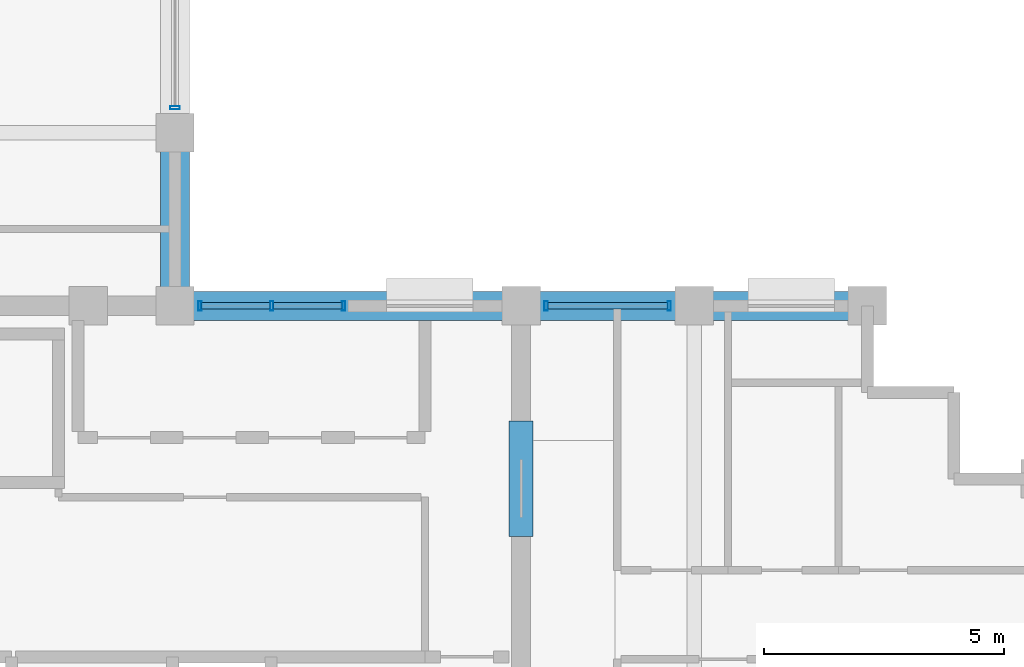
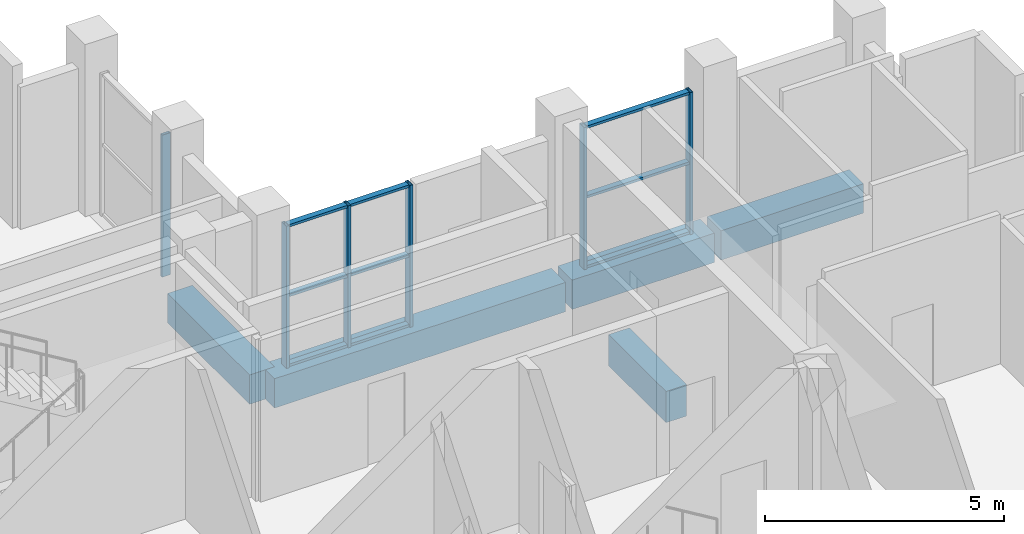
# One storey, part 8 of 18: 15 members, 5 beams, 3 elements without a shape of their own.
"""IFC4 building model written with IfcOpenShell, lengths in metres."""

from ifc_helpers import new_model, si_unit, direction, frame, origin, origin_2d, place, context, subcontext, project, spatial, rectangle, hollow_rectangle, extrude, material, layer, layer_set, material_profile, profile_set, type_object, element, aggregate, save


model = new_model("IFC4")

# Units and contexts
model_context = context("Model", 3, precision=1e-05, world=origin(), true_north=direction((0.0, 1.0)))
body_context = subcontext(model_context, "Body", "Model", "MODEL_VIEW")
ifc_project = project(units=[si_unit("LENGTHUNIT", "METRE"), si_unit("AREAUNIT", "SQUARE_METRE"), si_unit("VOLUMEUNIT", "CUBIC_METRE"), si_unit("PLANEANGLEUNIT", "RADIAN"), si_unit("MASSUNIT", "GRAM", prefix="KILO")], contexts=[model_context])

# Site, building, storey
site_placement = place(None, origin())
site = spatial("IfcSite", under=ifc_project, at=site_placement, CompositionType="ELEMENT")
building_placement = place(site_placement, origin())
building = spatial("IfcBuilding", under=site, at=building_placement, Name="Solnavia Interchange Tower", CompositionType="ELEMENT")
storey_placement = place(building_placement, frame((0.0, 0.0, 295.39990234375)))
storey = spatial("IfcBuildingStorey", under=building, at=storey_placement, Name="L75", CompositionType="ELEMENT", Elevation=295.39990234375)

# Beams
ifc_material_1 = material(Name="Concrete C50/60", Category="concrete")
ifc_material_profile_1 = material_profile(ifc_material_1, rectangle(XDim=0.5, YDim=0.800048828125, at=origin_2d()), Name="RC 500x800")
ifc_profile_set_1 = profile_set([ifc_material_profile_1], Name="Concrete C50/60")
beam_type_1 = type_object("IfcBeamType", Name="Beam-Coupling-RC500x800", PredefinedType="LINTEL", material=ifc_profile_set_1)
beam_1_placement = place(storey_placement, frame((32.39990234375, 20.39990234375, -0.39990234375), z_axis=(0.0, 1.0, 0.0), x_axis=(-1.0, 0.0, 0.0)))
element("IfcBeam", 1, at=beam_1_placement, inside=storey, type_object=beam_type_1, Name="CPB-L75-E2 Core coupling lintel beam", PredefinedType="LINTEL", context=body_context, shape_type="SweptSolid", body=[
    extrude(rectangle(XDim=0.5, YDim=0.800048828125, at=origin_2d()), origin(), (0.0, 0.0, 1.0), 2.400146484375),
])
ifc_material_profile_2 = material_profile(ifc_material_1, rectangle(XDim=0.60009765625, YDim=0.75, at=origin_2d()), Name="RC 600x750")
ifc_profile_set_2 = profile_set([ifc_material_profile_2], Name="Concrete C50/60")
beam_type_2 = type_object("IfcBeamType", Name="Beam-Spandrel-RC600x750", PredefinedType="SPANDREL", material=ifc_profile_set_2)
for number, where, z_axis, x_axis, name in (
    (2, (39.52001953125, 25.199951171875, -0.375), (-1.0, 0.0, 0.0), (0.0, -1.0, 0.0), "SPB-L75-17 Framed-tube perimeter spandrel beam"),
    (3, (35.919921875, 25.199951171875, -0.375), (-1.0, 0.0, 0.0), (0.0, -1.0, 0.0), "SPB-L75-18 Framed-tube perimeter spandrel beam"),
):
    element("IfcBeam", number, at=place(storey_placement, frame(where, z_axis=z_axis, x_axis=x_axis)), inside=storey, type_object=beam_type_2, Name=name, PredefinedType="SPANDREL", context=body_context, shape_type="SweptSolid", body=[
        extrude(rectangle(XDim=0.60009765625, YDim=0.75, at=origin_2d()), origin(), (0.0, 0.0, 1.0), 3.43994140625),
    ])
beam_2_placement = place(storey_placement, frame((32.320068359375, 25.199951171875, -0.375), z_axis=(-1.0, 0.0, 0.0), x_axis=(0.0, -1.0, 0.0)))
element("IfcBeam", 4, at=beam_2_placement, inside=storey, type_object=beam_type_2, Name="SPB-L75-19 Framed-tube perimeter spandrel beam", PredefinedType="SPANDREL", context=body_context, shape_type="SweptSolid", body=[
    extrude(rectangle(XDim=0.60009765625, YDim=0.75, at=origin_2d()), origin(), (0.0, 0.0, 1.0), 7.0400390625),
])
beam_3_placement = place(storey_placement, frame((25.199951171875, 25.280029296875, -0.375), z_axis=(0.0, 1.0, 0.0), x_axis=(-1.0, 0.0, 0.0)))
element("IfcBeam", 5, at=beam_3_placement, inside=storey, type_object=beam_type_2, Name="SPB-L75-20 Framed-tube perimeter spandrel beam", PredefinedType="SPANDREL", context=body_context, shape_type="SweptSolid", body=[
    extrude(rectangle(XDim=0.60009765625, YDim=0.75, at=origin_2d()), origin(), (0.0, 0.0, 1.0), 3.43994140625),
])

# Curtain wall, members
ifc_material_2 = material(Name="Aluminium Alloy 6063-T6", Category="aluminium")
ifc_layer = layer(ifc_material_2, 0.219970703125)
ifc_layer_set = layer_set([ifc_layer], Name="Aluminium Alloy 6063-T6")
curtain_wall_type = type_object("IfcCurtainWallType", Name="CurtainWall-Tower-CTW3", PredefinedType="NOTDEFINED", material=ifc_layer_set)
curtain_wall_1_placement = place(storey_placement, origin())
curtain_wall_1 = element("IfcCurtainWall", 6, at=curtain_wall_1_placement, inside=storey, type_object=curtain_wall_type, Name="CTW-L75-S18 CTW-3 curtain wall", PredefinedType="NOTDEFINED")
ifc_material_profile_3 = material_profile(ifc_material_2, hollow_rectangle(XDim=0.070068359375, YDim=0.199951171875, WallThickness=0.0048828125, at=origin_2d()), Name="ALU 200x70x5")
ifc_profile_set_3 = profile_set([ifc_material_profile_3], Name="Aluminium Alloy 6063-T6")
member_type_1 = type_object("IfcMemberType", Name="CW-Mullion-CWM-3", PredefinedType="MULLION", material=ifc_profile_set_3)
member_1_placement = place(storey_placement, frame((35.47998046875, 25.199951171875, 0.0), z_axis=(0.0, 0.0, 1.0), x_axis=(-1.0, 0.0, 0.0)))
member_1 = element("IfcMember", 7, at=member_1_placement, type_object=member_type_1, Name="CTW-3 mullion 1", PredefinedType="MULLION", context=body_context, shape_type="SweptSolid", body=[
    extrude(hollow_rectangle(XDim=0.070068359375, YDim=0.199951171875, WallThickness=0.0048828125, at=origin_2d()), origin(), (0.0, 0.0, 1.0), 3.630126953125),
])
member_2_placement = place(storey_placement, frame((32.919921875, 25.199951171875, 0.0), z_axis=(0.0, 0.0, 1.0), x_axis=(-1.0, 0.0, 0.0)))
member_2 = element("IfcMember", 8, at=member_2_placement, type_object=member_type_1, Name="CTW-3 mullion 2", PredefinedType="MULLION", context=body_context, shape_type="SweptSolid", body=[
    extrude(hollow_rectangle(XDim=0.070068359375, YDim=0.199951171875, WallThickness=0.0048828125, at=origin_2d()), origin(), (0.0, 0.0, 1.0), 3.630126953125),
])

curtain_wall_2_placement = place(storey_placement, origin())
curtain_wall_2 = element("IfcCurtainWall", 9, at=curtain_wall_2_placement, inside=storey, type_object=curtain_wall_type, Name="CTW-L75-S20 CTW-3 curtain wall", PredefinedType="NOTDEFINED")
member_3_placement = place(storey_placement, frame((28.705078125, 25.199951171875, 0.0), z_axis=(0.0, 0.0, 1.0), x_axis=(-1.0, 0.0, 0.0)))
member_3 = element("IfcMember", 10, at=member_3_placement, type_object=member_type_1, Name="CTW-3 mullion 1", PredefinedType="MULLION", context=body_context, shape_type="SweptSolid", body=[
    extrude(hollow_rectangle(XDim=0.070068359375, YDim=0.199951171875, WallThickness=0.0048828125, at=origin_2d()), origin(), (0.0, 0.0, 1.0), 3.630126953125),
])
member_4_placement = place(storey_placement, frame((27.21240234375, 25.199951171875, 0.0), z_axis=(0.0, 0.0, 1.0), x_axis=(-1.0, 0.0, 0.0)))
member_4 = element("IfcMember", 11, at=member_4_placement, type_object=member_type_1, Name="CTW-3 mullion 2", PredefinedType="MULLION", context=body_context, shape_type="SweptSolid", body=[
    extrude(hollow_rectangle(XDim=0.070068359375, YDim=0.199951171875, WallThickness=0.0048828125, at=origin_2d()), origin(), (0.0, 0.0, 1.0), 3.630126953125),
])
member_5_placement = place(storey_placement, frame((25.719970703125, 25.199951171875, 0.0), z_axis=(0.0, 0.0, 1.0), x_axis=(-1.0, 0.0, 0.0)))
member_5 = element("IfcMember", 12, at=member_5_placement, type_object=member_type_1, Name="CTW-3 mullion 3", PredefinedType="MULLION", context=body_context, shape_type="SweptSolid", body=[
    extrude(hollow_rectangle(XDim=0.070068359375, YDim=0.199951171875, WallThickness=0.0048828125, at=origin_2d()), origin(), (0.0, 0.0, 1.0), 3.630126953125),
])

# Curtain wall, member
curtain_wall_3_placement = place(storey_placement, origin())
curtain_wall_3 = element("IfcCurtainWall", 13, at=curtain_wall_3_placement, inside=storey, type_object=curtain_wall_type, Name="CTW-L75-S22 CTW-3 curtain wall", PredefinedType="NOTDEFINED")
member_6_placement = place(storey_placement, frame((25.199951171875, 29.320068359375, 0.0), z_axis=(0.0, 0.0, 1.0), x_axis=(0.0, 1.0, 0.0)))
member_6 = element("IfcMember", 14, at=member_6_placement, type_object=member_type_1, Name="CTW-3 mullion 1", PredefinedType="MULLION", context=body_context, shape_type="SweptSolid", body=[
    extrude(hollow_rectangle(XDim=0.070068359375, YDim=0.199951171875, WallThickness=0.0048828125, at=origin_2d()), origin(), (0.0, 0.0, 1.0), 3.630126953125),
])
aggregate(curtain_wall_3, [member_6])

# Member
ifc_material_profile_4 = material_profile(ifc_material_2, hollow_rectangle(XDim=0.06494140625, YDim=0.139892578125, WallThickness=0.00390625, at=origin_2d()), Name="ALU 140x65x4")
ifc_profile_set_4 = profile_set([ifc_material_profile_4], Name="Aluminium Alloy 6063-T6")
member_type_2 = type_object("IfcMemberType", Name="CW-Transom-CWT-3", PredefinedType="USERDEFINED", material=ifc_profile_set_4)
member_7_placement = place(storey_placement, frame((35.445068359375, 25.199951171875, 0.03271484375), z_axis=(-1.0, 0.0, 0.0), x_axis=(0.0, 0.0, 1.0)))
member_7 = element("IfcMember", 15, at=member_7_placement, type_object=member_type_2, Name="CTW-3 transom 1.1", ObjectType="TRANSOM", PredefinedType="USERDEFINED", context=body_context, shape_type="SweptSolid", body=[
    extrude(hollow_rectangle(XDim=0.06494140625, YDim=0.139892578125, WallThickness=0.00390625, at=origin_2d()), origin(), (0.0, 0.0, 1.0), 2.489990234375),
])

member_8_placement = place(storey_placement, frame((35.445068359375, 25.199951171875, 1.815185546875), z_axis=(-1.0, 0.0, 0.0), x_axis=(0.0, 0.0, 1.0)))
member_8 = element("IfcMember", 16, at=member_8_placement, type_object=member_type_2, Name="CTW-3 transom 1.2", ObjectType="TRANSOM", PredefinedType="USERDEFINED", context=body_context, shape_type="SweptSolid", body=[
    extrude(hollow_rectangle(XDim=0.06494140625, YDim=0.139892578125, WallThickness=0.00390625, at=origin_2d()), origin(), (0.0, 0.0, 1.0), 2.489990234375),
])

member_9_placement = place(storey_placement, frame((35.445068359375, 25.199951171875, 3.59765625), z_axis=(-1.0, 0.0, 0.0), x_axis=(0.0, 0.0, 1.0)))
member_9 = element("IfcMember", 17, at=member_9_placement, type_object=member_type_2, Name="CTW-3 transom 1.3", ObjectType="TRANSOM", PredefinedType="USERDEFINED", context=body_context, shape_type="SweptSolid", body=[
    extrude(hollow_rectangle(XDim=0.06494140625, YDim=0.139892578125, WallThickness=0.00390625, at=origin_2d()), origin(), (0.0, 0.0, 1.0), 2.489990234375),
])

aggregate(curtain_wall_1, [member_1, member_2, member_7, member_8, member_9])

member_10_placement = place(storey_placement, frame((28.669921875, 25.199951171875, 0.03271484375), z_axis=(-1.0, 0.0, 0.0), x_axis=(0.0, 0.0, 1.0)))
member_10 = element("IfcMember", 18, at=member_10_placement, type_object=member_type_2, Name="CTW-3 transom 1.1", ObjectType="TRANSOM", PredefinedType="USERDEFINED", context=body_context, shape_type="SweptSolid", body=[
    extrude(hollow_rectangle(XDim=0.06494140625, YDim=0.139892578125, WallThickness=0.00390625, at=origin_2d()), origin(), (0.0, 0.0, 1.0), 1.42236328125),
])

member_11_placement = place(storey_placement, frame((28.669921875, 25.199951171875, 1.815185546875), z_axis=(-1.0, 0.0, 0.0), x_axis=(0.0, 0.0, 1.0)))
member_11 = element("IfcMember", 19, at=member_11_placement, type_object=member_type_2, Name="CTW-3 transom 1.2", ObjectType="TRANSOM", PredefinedType="USERDEFINED", context=body_context, shape_type="SweptSolid", body=[
    extrude(hollow_rectangle(XDim=0.06494140625, YDim=0.139892578125, WallThickness=0.00390625, at=origin_2d()), origin(), (0.0, 0.0, 1.0), 1.42236328125),
])

member_12_placement = place(storey_placement, frame((28.669921875, 25.199951171875, 3.59765625), z_axis=(-1.0, 0.0, 0.0), x_axis=(0.0, 0.0, 1.0)))
member_12 = element("IfcMember", 20, at=member_12_placement, type_object=member_type_2, Name="CTW-3 transom 1.3", ObjectType="TRANSOM", PredefinedType="USERDEFINED", context=body_context, shape_type="SweptSolid", body=[
    extrude(hollow_rectangle(XDim=0.06494140625, YDim=0.139892578125, WallThickness=0.00390625, at=origin_2d()), origin(), (0.0, 0.0, 1.0), 1.42236328125),
])

member_13_placement = place(storey_placement, frame((27.177490234375, 25.199951171875, 0.03271484375), z_axis=(-1.0, 0.0, 0.0), x_axis=(0.0, 0.0, 1.0)))
member_13 = element("IfcMember", 21, at=member_13_placement, type_object=member_type_2, Name="CTW-3 transom 2.1", ObjectType="TRANSOM", PredefinedType="USERDEFINED", context=body_context, shape_type="SweptSolid", body=[
    extrude(hollow_rectangle(XDim=0.06494140625, YDim=0.139892578125, WallThickness=0.00390625, at=origin_2d()), origin(), (0.0, 0.0, 1.0), 1.422607421875),
])

member_14_placement = place(storey_placement, frame((27.177490234375, 25.199951171875, 1.815185546875), z_axis=(-1.0, 0.0, 0.0), x_axis=(0.0, 0.0, 1.0)))
member_14 = element("IfcMember", 22, at=member_14_placement, type_object=member_type_2, Name="CTW-3 transom 2.2", ObjectType="TRANSOM", PredefinedType="USERDEFINED", context=body_context, shape_type="SweptSolid", body=[
    extrude(hollow_rectangle(XDim=0.06494140625, YDim=0.139892578125, WallThickness=0.00390625, at=origin_2d()), origin(), (0.0, 0.0, 1.0), 1.422607421875),
])

member_15_placement = place(storey_placement, frame((27.177490234375, 25.199951171875, 3.59765625), z_axis=(-1.0, 0.0, 0.0), x_axis=(0.0, 0.0, 1.0)))
member_15 = element("IfcMember", 23, at=member_15_placement, type_object=member_type_2, Name="CTW-3 transom 2.3", ObjectType="TRANSOM", PredefinedType="USERDEFINED", context=body_context, shape_type="SweptSolid", body=[
    extrude(hollow_rectangle(XDim=0.06494140625, YDim=0.139892578125, WallThickness=0.00390625, at=origin_2d()), origin(), (0.0, 0.0, 1.0), 1.422607421875),
])

aggregate(curtain_wall_2, [member_3, member_4, member_5, member_10, member_11, member_12, member_13, member_14, member_15])

save(model, "model.ifc")
